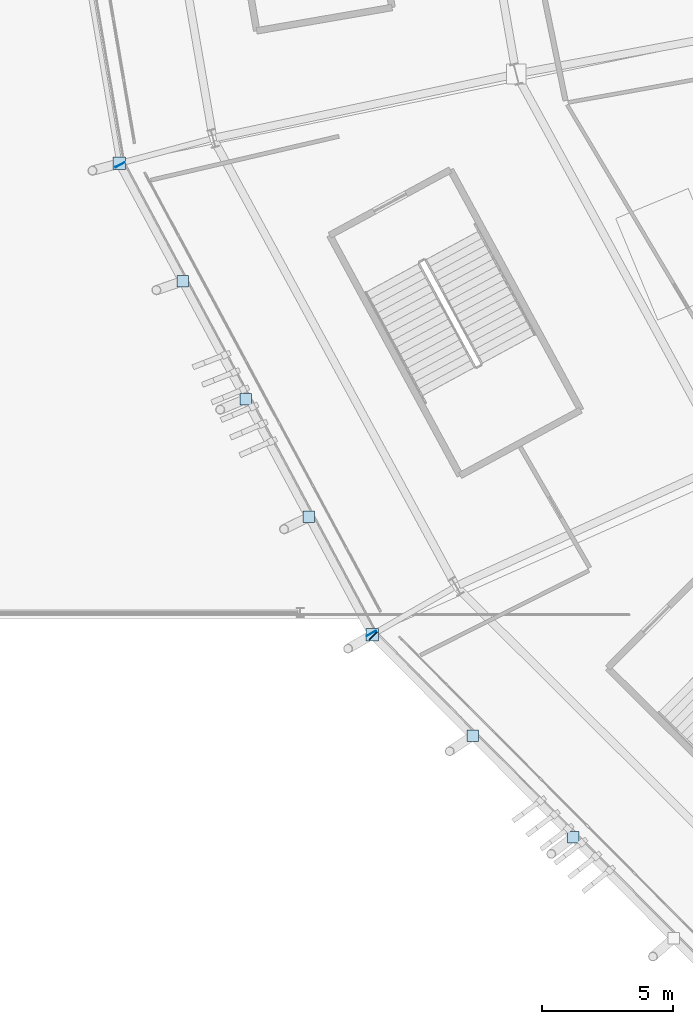
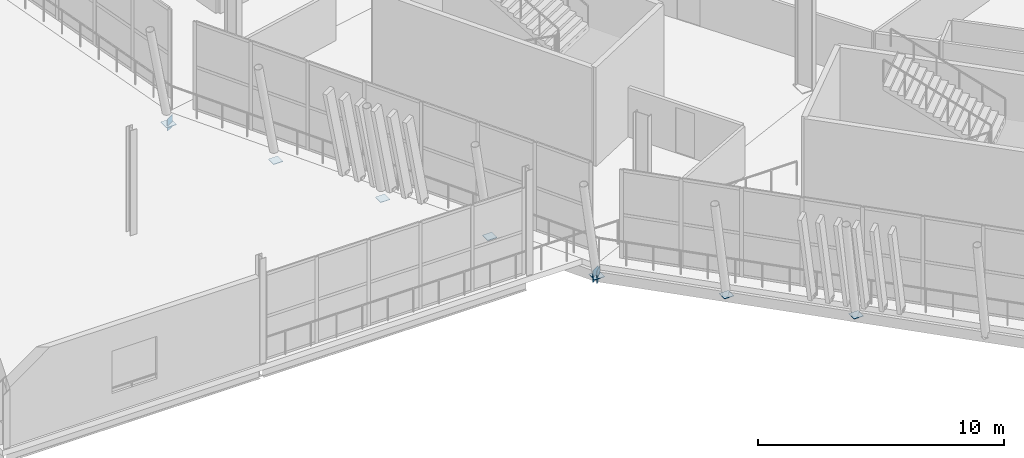
# One storey, part 93 of 168: 10 plates.
"""IFC4 building model written with IfcOpenShell, lengths in metres."""

from ifc_helpers import new_model, si_unit, direction, frame, origin, origin_2d, place, context, subcontext, project, spatial, rectangle, extrude, material, layer, layer_set, type_object, element, save


model = new_model("IFC4")

# Units and contexts
model_context = context("Model", 3, precision=1e-05, world=origin(), true_north=direction((0.0, 1.0)))
body_context = subcontext(model_context, "Body", "Model", "MODEL_VIEW")
ifc_project = project(units=[si_unit("LENGTHUNIT", "METRE"), si_unit("AREAUNIT", "SQUARE_METRE"), si_unit("VOLUMEUNIT", "CUBIC_METRE"), si_unit("PLANEANGLEUNIT", "RADIAN"), si_unit("MASSUNIT", "GRAM", prefix="KILO")], contexts=[model_context])

# Site, building, storey
site_placement = place(None, origin())
site = spatial("IfcSite", under=ifc_project, at=site_placement, CompositionType="ELEMENT")
building_placement = place(site_placement, origin())
building = spatial("IfcBuilding", under=site, at=building_placement, Name="Zlatoyarsky Gate Stadium", CompositionType="ELEMENT")
storey_placement = place(building_placement, frame((0.0, 0.0, 15.60009765625)))
storey = spatial("IfcBuildingStorey", under=building, at=storey_placement, Name="L03", CompositionType="ELEMENT", Elevation=15.60009765625)

# Plates
ifc_material = material(Name="Steel S355", Category="steel")
ifc_layer = layer(ifc_material, 0.02392578125)
ifc_layer_set = layer_set([ifc_layer], Name="Steel S355")
plate_type = type_object("IfcPlateType", Name="STEEL HOLLOW CHORD SPLICE SHEET 24", PredefinedType="SHEET", material=ifc_layer_set)
for number, where, z_axis, x_axis, name in (
    (1, (17.62109375, 60.61279296875, -0.830078125), (0.0, 0.0, 1.0), (0.472555712276, -0.881300799271, 0.0), "Hollow end cap ND-SP1 CAP-L03-SPD-13 A"),
    (2, (27.22509765625, 42.701904296875, -0.830078125), (0.0, 0.0, 1.0), (0.472555712276, -0.881300799271, 0.0), "Hollow end cap ND-SP1 CAP-L03-SPD-13 B"),
):
    element("IfcPlate", number, at=place(storey_placement, frame(where, z_axis=z_axis, x_axis=x_axis)), inside=storey, type_object=plate_type, Name=name, PredefinedType="SHEET", context=body_context, shape_type="SweptSolid", body=[
        extrude(rectangle(XDim=0.02392578125, YDim=0.39990234375, at=origin_2d()), origin(), (0.0, 0.0, 1.0), 0.60009765625),
    ])
plate_1_placement = place(storey_placement, frame((17.5927734375, 60.66552734375, -0.592041015625), z_axis=(0.0, 0.0, 1.0), x_axis=(1.0, 0.0, 0.0)))
element("IfcPlate", 3, at=plate_1_placement, inside=storey, type_object=plate_type, Name="Node closure plate ND-SP1 NCAP-L03-RSTR-13", PredefinedType="SHEET", context=body_context, shape_type="SweptSolid", body=[
    extrude(rectangle(XDim=0.47998046875, YDim=0.47998046875, at=origin_2d()), origin(), (0.0, 0.0, 1.0), 0.02392578125),
])
plate_2_placement = place(storey_placement, frame((27.295654296875, 42.606201171875, -0.830078125), z_axis=(0.0, 0.0, 1.0), x_axis=(0.70472967068, -0.709475927191, 0.0)))
element("IfcPlate", 4, at=plate_2_placement, inside=storey, type_object=plate_type, Name="Hollow end cap ND-SP1 CAP-L03-SPD-14 A", PredefinedType="SHEET", context=body_context, shape_type="SweptSolid", body=[
    extrude(rectangle(XDim=0.02392578125, YDim=0.39990234375, at=origin_2d()), origin(), (0.0, 0.0, 1.0), 0.60009765625),
])
plate_3_placement = place(storey_placement, frame((27.25341796875, 42.64892578125, -0.592041015625), z_axis=(0.0, 0.0, 1.0), x_axis=(1.0, 0.0, 0.0)))
element("IfcPlate", 5, at=plate_3_placement, inside=storey, type_object=plate_type, Name="Node closure plate ND-SP1 NCAP-L03-RSTR-14", PredefinedType="SHEET", context=body_context, shape_type="SweptSolid", body=[
    extrude(rectangle(XDim=0.47998046875, YDim=0.47998046875, at=origin_2d()), origin(), (0.0, 0.0, 1.0), 0.02392578125),
])
for number, where, z_axis, x_axis, name in (
    (6, (20.008056640625, 56.161376953125, -0.5419921875), (0.0, 0.0, 1.0), (1.0, 0.0, 0.0), "Node closure plate ND-SP1 NCAP-RIB-13-1-1T"),
    (7, (22.423095703125, 51.6572265625, -0.5419921875), (0.0, 0.0, 1.0), (1.0, 0.0, 0.0), "Node closure plate ND-SP1 NCAP-RIB-13-2-1T"),
    (8, (24.838134765625, 47.153076171875, -0.5419921875), (0.0, 0.0, 1.0), (1.0, 0.0, 0.0), "Node closure plate ND-SP1 NCAP-RIB-13-3-1T"),
    (9, (31.09521484375, 38.781005859375, -0.5419921875), (0.0, 0.0, 1.0), (1.0, 0.0, 0.0), "Node closure plate ND-SP1 NCAP-RIB-14-1-1T"),
    (10, (34.937255859375, 34.9130859375, -0.5419921875), (0.0, 0.0, 1.0), (1.0, 0.0, 0.0), "Node closure plate ND-SP1 NCAP-RIB-14-2-1T"),
):
    element("IfcPlate", number, at=place(storey_placement, frame(where, z_axis=z_axis, x_axis=x_axis)), inside=storey, type_object=plate_type, Name=name, PredefinedType="SHEET", context=body_context, shape_type="SweptSolid", body=[
        extrude(rectangle(XDim=0.43994140625, YDim=0.43994140625, at=origin_2d()), origin(), (0.0, 0.0, 1.0), 0.02392578125),
    ])

save(model, "model.ifc")
